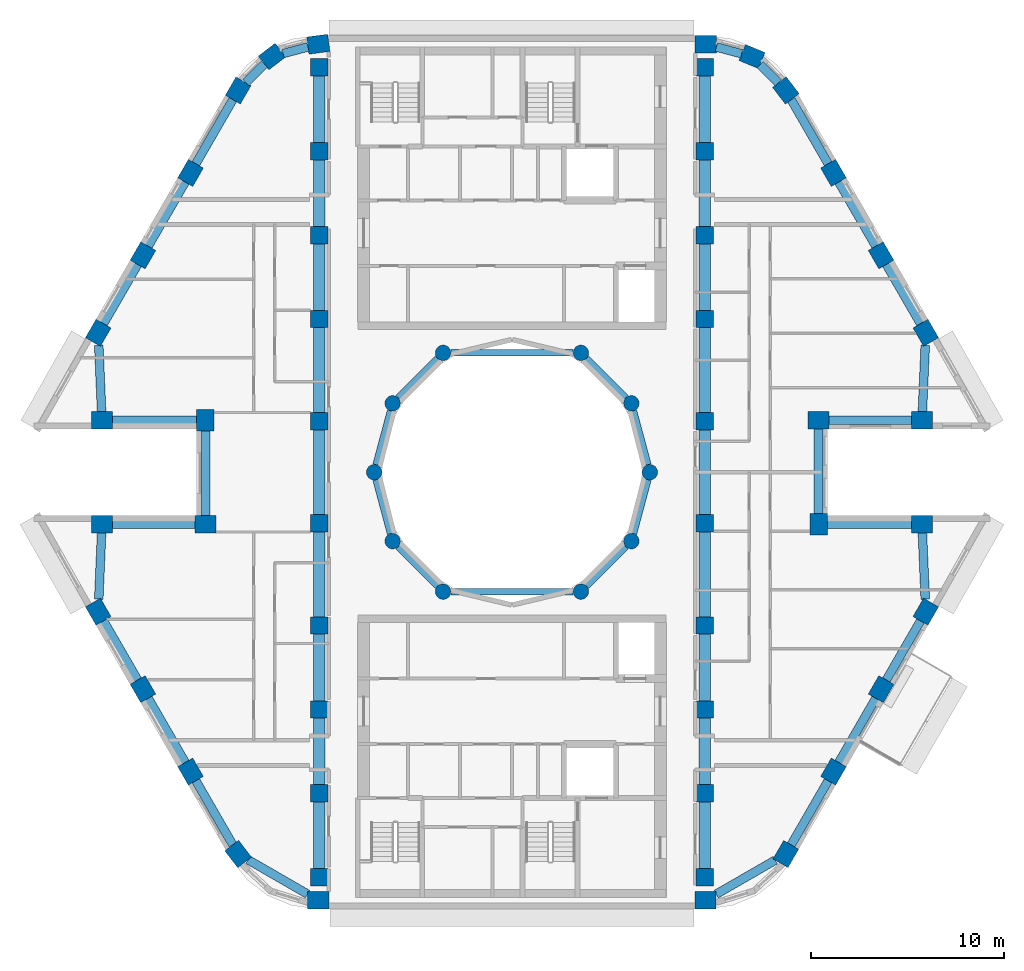
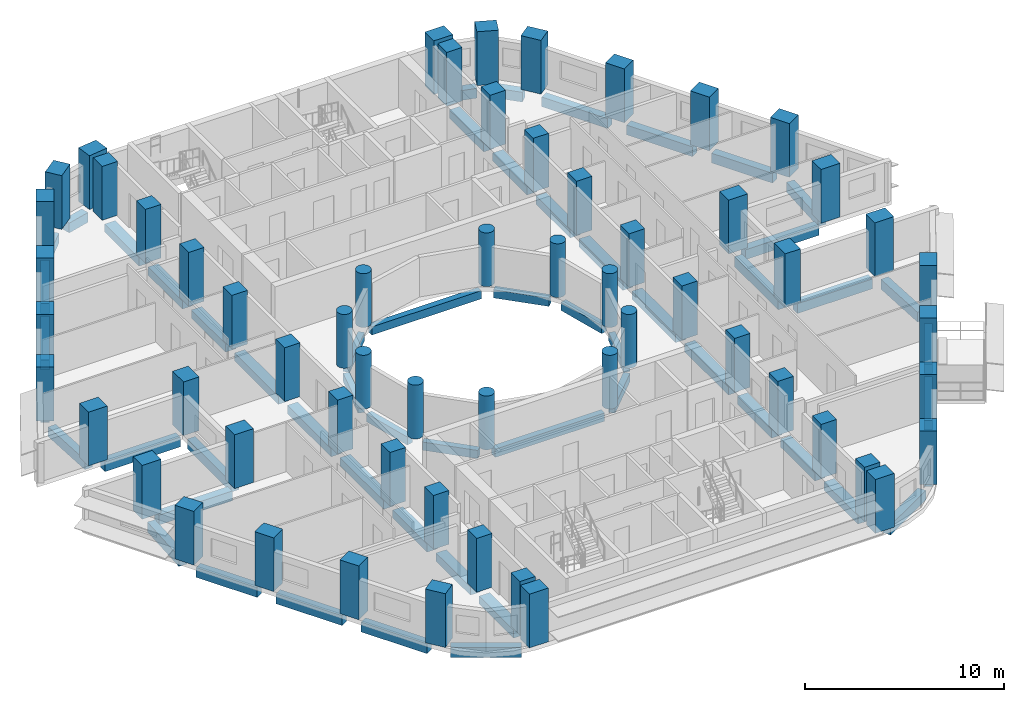
# One storey, part 1 of 12: 60 columns, 56 beams.
"""IFC4 building model written with IfcOpenShell, lengths in metres."""

from ifc_helpers import new_model, si_unit, direction, frame, origin, origin_2d, place, context, subcontext, project, spatial, rectangle, circle, extrude, material, material_profile, profile_set, type_object, element, save


model = new_model("IFC4")

# Units and contexts
model_context = context("Model", 3, precision=1e-05, world=origin(), true_north=direction((0.0, 1.0)))
body_context = subcontext(model_context, "Body", "Model", "MODEL_VIEW")
ifc_project = project(units=[si_unit("LENGTHUNIT", "METRE"), si_unit("AREAUNIT", "SQUARE_METRE"), si_unit("VOLUMEUNIT", "CUBIC_METRE"), si_unit("PLANEANGLEUNIT", "RADIAN"), si_unit("MASSUNIT", "GRAM", prefix="KILO")], contexts=[model_context])

# Site, building, storey
site_placement = place(None, origin())
site = spatial("IfcSite", under=ifc_project, at=site_placement, CompositionType="ELEMENT")
building_placement = place(site_placement, origin())
building = spatial("IfcBuilding", under=site, at=building_placement, Name="Nakaniwa Court", CompositionType="ELEMENT")
storey_placement = place(building_placement, frame((0.0, 0.0, 232.800048828125)))
storey = spatial("IfcBuildingStorey", under=building, at=storey_placement, Name="L60", CompositionType="ELEMENT", Elevation=232.800048828125)

# Columns
ifc_material = material(Name="Concrete C80/100", Category="concrete")
ifc_material_profile_1 = material_profile(ifc_material, rectangle(XDim=1.10009765625, YDim=0.89990234375, at=origin_2d()), Name="Concrete C80/100 RC 1100x900 perimeter column")
ifc_profile_set_1 = profile_set([ifc_material_profile_1], Name="Concrete C80/100")
column_type_1 = type_object("IfcColumnType", Name="Concrete C80/100 RC 1100x900 perimeter column", PredefinedType="COLUMN", material=ifc_profile_set_1)
for number, where, z_axis, x_axis, name in (
    (1, (69.95458984375, 102.199951171875, 0.0), (0.0, 0.0, 1.0), (-0.991442583111, -0.130543496177, 0.0), "COLUMN CO-01"),
    (2, (67.552001953125, 101.560302734375, 0.0), (0.0, 0.0, 1.0), (-0.793363965062, -0.608747582288, 0.0), "COLUMN CO-02"),
    (3, (65.796875, 99.799560546875, 0.0), (0.0, 0.0, 1.0), (-0.5, -0.866025403784, 0.0), "COLUMN CO-03"),
    (4, (63.328857421875, 95.524658203125, 0.0), (0.0, 0.0, 1.0), (-0.5, -0.866025403784, 0.0), "COLUMN CO-04"),
    (5, (60.860595703125, 91.249755859375, 0.0), (0.0, 0.0, 1.0), (-0.5, -0.866025403784, 0.0), "COLUMN CO-05"),
    (6, (58.541015625, 87.232177734375, 0.0), (0.0, 0.0, 1.0), (-0.5, -0.866025403784, 0.0), "COLUMN CO-06"),
    (7, (58.736083984375, 82.699951171875, 0.0), (0.0, 0.0, 1.0), (1.0, 0.0, 0.0), "COLUMN CO-08"),
    (8, (64.1005859375, 82.699951171875, 0.0), (0.0, 0.0, 1.0), (0.0, -1.0, 0.0), "COLUMN CO-09"),
    (9, (64.1005859375, 77.300048828125, 0.0), (0.0, 0.0, 1.0), (-1.0, 0.0, 0.0), "COLUMN CO-10"),
    (10, (58.736083984375, 77.300048828125, 0.0), (0.0, 0.0, 1.0), (-1.0, 0.0, 0.0), "COLUMN CO-11"),
    (11, (58.541015625, 72.767822265625, 0.0), (0.0, 0.0, 1.0), (0.5, -0.866025403784, 0.0), "COLUMN CO-13"),
    (12, (60.860595703125, 68.750244140625, 0.0), (0.0, 0.0, 1.0), (0.5, -0.866025403784, 0.0), "COLUMN CO-14"),
    (13, (63.328857421875, 64.475341796875, 0.0), (0.0, 0.0, 1.0), (0.5, -0.866025403784, 0.0), "COLUMN CO-15"),
    (14, (65.796875, 60.200439453125, 0.0), (0.0, 0.0, 1.0), (0.608761429009, -0.793353340291, 0.0), "COLUMN CO-16"),
    (15, (69.95458984375, 57.800048828125, 0.0), (0.0, 0.0, 1.0), (1.0, 0.0, 0.0), "COLUMN CO-17"),
    (16, (90.03955078125, 57.800048828125, 0.0), (0.0, 0.0, 1.0), (1.0, 0.0, 0.0), "COLUMN CO-21"),
    (17, (94.203125, 60.200439453125, 0.0), (0.0, 0.0, 1.0), (0.5, 0.866025403784, 0.0), "COLUMN CO-22"),
    (18, (96.671142578125, 64.475341796875, 0.0), (0.0, 0.0, 1.0), (0.5, 0.866025403784, 0.0), "COLUMN CO-23"),
    (19, (99.139404296875, 68.750244140625, 0.0), (0.0, 0.0, 1.0), (0.5, 0.866025403784, 0.0), "COLUMN CO-24"),
    (20, (101.458984375, 72.767822265625, 0.0), (0.0, 0.0, 1.0), (0.5, 0.866025403784, 0.0), "COLUMN CO-25"),
    (21, (101.263916015625, 77.300048828125, 0.0), (0.0, 0.0, 1.0), (-1.0, 0.0, 0.0), "COLUMN CO-27"),
    (22, (95.8994140625, 77.300048828125, 0.0), (0.0, 0.0, 1.0), (0.0, 1.0, 0.0), "COLUMN CO-28"),
    (23, (95.8994140625, 82.699951171875, 0.0), (0.0, 0.0, 1.0), (1.0, 0.0, 0.0), "COLUMN CO-29"),
    (24, (101.263916015625, 82.699951171875, 0.0), (0.0, 0.0, 1.0), (1.0, 0.0, 0.0), "COLUMN CO-30"),
    (25, (101.458984375, 87.232177734375, 0.0), (0.0, 0.0, 1.0), (-0.5, 0.866025403784, 0.0), "COLUMN CO-32"),
    (26, (99.139404296875, 91.249755859375, 0.0), (0.0, 0.0, 1.0), (-0.5, 0.866025403784, 0.0), "COLUMN CO-33"),
    (27, (96.671142578125, 95.524658203125, 0.0), (0.0, 0.0, 1.0), (-0.5, 0.866025403784, 0.0), "COLUMN CO-34"),
    (28, (94.203125, 99.799560546875, 0.0), (0.0, 0.0, 1.0), (-0.608761429009, 0.793353340291, 0.0), "COLUMN CO-35"),
    (29, (92.447998046875, 101.560302734375, 0.0), (0.0, 0.0, 1.0), (-0.923879532511, 0.382683432365, 0.0), "COLUMN CO-36"),
    (30, (90.04541015625, 102.199951171875, 0.0), (0.0, 0.0, 1.0), (-1.0, 0.0, 0.0), "COLUMN CO-37"),
):
    element("IfcColumn", number, at=place(storey_placement, frame(where, z_axis=z_axis, x_axis=x_axis)), inside=storey, type_object=column_type_1, Name=name, PredefinedType="COLUMN", context=body_context, shape_type="SweptSolid", body=[
        extrude(rectangle(XDim=1.10009765625, YDim=0.89990234375, at=origin_2d()), origin(), (0.0, 0.0, 1.0), 3.300048828125),
    ])
ifc_material_profile_2 = material_profile(ifc_material, rectangle(XDim=0.89990234375, YDim=0.89990234375, at=origin_2d()), Name="Concrete C80/100 RC 900x900 spine column")
ifc_profile_set_2 = profile_set([ifc_material_profile_2], Name="Concrete C80/100")
column_type_2 = type_object("IfcColumnType", Name="Concrete C80/100 RC 900x900 spine column", PredefinedType="COLUMN", material=ifc_profile_set_2)
for number, where, z_axis, x_axis, name in (
    (31, (90.0, 59.0, 0.0), (0.0, 0.0, 1.0), (0.0, 1.0, 0.0), "COLUMN CS-01"),
    (32, (90.0, 63.35009765625, 0.0), (0.0, 0.0, 1.0), (0.0, 1.0, 0.0), "COLUMN CS-02"),
    (33, (90.0, 67.699951171875, 0.0), (0.0, 0.0, 1.0), (0.0, 1.0, 0.0), "COLUMN CS-03"),
    (34, (90.0, 72.050048828125, 0.0), (0.0, 0.0, 1.0), (0.0, 1.0, 0.0), "COLUMN CS-04"),
    (35, (90.0, 77.35009765625, 0.0), (0.0, 0.0, 1.0), (0.0, 1.0, 0.0), "COLUMN CS-05"),
    (36, (90.0, 82.64990234375, 0.0), (0.0, 0.0, 1.0), (0.0, 1.0, 0.0), "COLUMN CS-06"),
    (37, (90.0, 87.949951171875, 0.0), (0.0, 0.0, 1.0), (0.0, 1.0, 0.0), "COLUMN CS-07"),
    (38, (90.0, 92.300048828125, 0.0), (0.0, 0.0, 1.0), (0.0, 1.0, 0.0), "COLUMN CS-08"),
    (39, (90.0, 96.64990234375, 0.0), (0.0, 0.0, 1.0), (0.0, 1.0, 0.0), "COLUMN CS-09"),
    (40, (90.0, 101.0, 0.0), (0.0, 0.0, 1.0), (0.0, 1.0, 0.0), "COLUMN CS-10"),
    (41, (70.0, 101.0, 0.0), (0.0, 0.0, 1.0), (0.0, -1.0, 0.0), "COLUMN CS-11"),
    (42, (70.0, 96.64990234375, 0.0), (0.0, 0.0, 1.0), (0.0, -1.0, 0.0), "COLUMN CS-12"),
    (43, (70.0, 92.300048828125, 0.0), (0.0, 0.0, 1.0), (0.0, -1.0, 0.0), "COLUMN CS-13"),
    (44, (70.0, 87.949951171875, 0.0), (0.0, 0.0, 1.0), (0.0, -1.0, 0.0), "COLUMN CS-14"),
    (45, (70.0, 82.64990234375, 0.0), (0.0, 0.0, 1.0), (0.0, -1.0, 0.0), "COLUMN CS-15"),
    (46, (70.0, 77.35009765625, 0.0), (0.0, 0.0, 1.0), (0.0, -1.0, 0.0), "COLUMN CS-16"),
    (47, (70.0, 72.050048828125, 0.0), (0.0, 0.0, 1.0), (0.0, -1.0, 0.0), "COLUMN CS-17"),
    (48, (70.0, 67.699951171875, 0.0), (0.0, 0.0, 1.0), (0.0, -1.0, 0.0), "COLUMN CS-18"),
    (49, (70.0, 63.35009765625, 0.0), (0.0, 0.0, 1.0), (0.0, -1.0, 0.0), "COLUMN CS-19"),
    (50, (70.0, 59.0, 0.0), (0.0, 0.0, 1.0), (0.0, -1.0, 0.0), "COLUMN CS-20"),
):
    element("IfcColumn", number, at=place(storey_placement, frame(where, z_axis=z_axis, x_axis=x_axis)), inside=storey, type_object=column_type_2, Name=name, PredefinedType="COLUMN", context=body_context, shape_type="SweptSolid", body=[
        extrude(rectangle(XDim=0.89990234375, YDim=0.89990234375, at=origin_2d()), origin(), (0.0, 0.0, 1.0), 3.300048828125),
    ])
ifc_material_profile_3 = material_profile(ifc_material, circle(Radius=0.39990234375, at=origin_2d()), Name="Concrete C80/100 RC D800 inner ring column")
ifc_profile_set_3 = profile_set([ifc_material_profile_3], Name="Concrete C80/100")
column_type_3 = type_object("IfcColumnType", Name="Concrete C80/100 RC D800 inner ring column", PredefinedType="COLUMN", material=ifc_profile_set_3)
for number, where, z_axis, x_axis, name in (
    (51, (87.14990234375, 80.0, 0.0), (0.0, 0.0, 1.0), (0.0, 1.0, 0.0), "COLUMN CI-01"),
    (52, (86.192138671875, 83.574951171875, 0.0), (0.0, 0.0, 1.0), (-0.5, 0.866025403784, 0.0), "COLUMN CI-02"),
    (53, (83.574951171875, 86.192138671875, 0.0), (0.0, 0.0, 1.0), (-0.866025403784, 0.5, 0.0), "COLUMN CI-03"),
    (54, (76.425048828125, 86.192138671875, 0.0), (0.0, 0.0, 1.0), (-0.866025403784, -0.5, 0.0), "COLUMN CI-05"),
    (55, (73.807861328125, 83.574951171875, 0.0), (0.0, 0.0, 1.0), (-0.5, -0.866025403784, 0.0), "COLUMN CI-06"),
    (56, (72.85009765625, 80.0, 0.0), (0.0, 0.0, 1.0), (0.0, -1.0, 0.0), "COLUMN CI-07"),
    (57, (73.807861328125, 76.425048828125, 0.0), (0.0, 0.0, 1.0), (0.5, -0.866025403784, 0.0), "COLUMN CI-08"),
    (58, (76.425048828125, 73.807861328125, 0.0), (0.0, 0.0, 1.0), (0.866025403784, -0.5, 0.0), "COLUMN CI-09"),
    (59, (83.574951171875, 73.807861328125, 0.0), (0.0, 0.0, 1.0), (0.866025403784, 0.5, 0.0), "COLUMN CI-11"),
    (60, (86.192138671875, 76.425048828125, 0.0), (0.0, 0.0, 1.0), (0.5, 0.866025403784, 0.0), "COLUMN CI-12"),
):
    element("IfcColumn", number, at=place(storey_placement, frame(where, z_axis=z_axis, x_axis=x_axis)), inside=storey, type_object=column_type_3, Name=name, PredefinedType="COLUMN", context=body_context, shape_type="SweptSolid", body=[
        extrude(circle(Radius=0.39990234375, at=origin_2d()), origin(), (0.0, 0.0, 1.0), 3.300048828125),
    ])

# Beams
ifc_material_profile_4 = material_profile(ifc_material, rectangle(XDim=0.35009765625, YDim=0.5, at=origin_2d()), Name="Concrete C80/100 RC 350x500 ring beam")
ifc_profile_set_4 = profile_set([ifc_material_profile_4], Name="Concrete C80/100")
beam_type_1 = type_object("IfcBeamType", Name="Concrete C80/100 RC 350x500 ring beam", PredefinedType="BEAM", material=ifc_profile_set_4)
beam_1_placement = place(storey_placement, frame((87.04638671875, 80.386474609375, -0.525146484375), z_axis=(-0.258778150207, 0.965936783115, 0.0), x_axis=(-0.965936783115, -0.258778150207, 0.0)))
element("IfcBeam", 61, at=beam_1_placement, inside=storey, type_object=beam_type_1, Name="RING BEAM", PredefinedType="BEAM", context=body_context, shape_type="SweptSolid", body=[
    extrude(rectangle(XDim=0.35009765625, YDim=0.5, at=origin_2d()), origin(), (0.0, 0.0, 1.0), 2.901123046875),
])
beam_2_placement = place(storey_placement, frame((85.9091796875, 83.85791015625, -0.525146484375), z_axis=(-0.707106781187, 0.707106781187, 0.0), x_axis=(-0.707106781187, -0.707106781187, 0.0)))
element("IfcBeam", 62, at=beam_2_placement, inside=storey, type_object=beam_type_1, Name="RING BEAM", PredefinedType="BEAM", context=body_context, shape_type="SweptSolid", body=[
    extrude(rectangle(XDim=0.35009765625, YDim=0.5, at=origin_2d()), origin(), (0.0, 0.0, 1.0), 2.90087890625),
])
beam_3_placement = place(storey_placement, frame((83.175048828125, 86.192138671875, -0.525146484375), z_axis=(-1.0, 0.0, 0.0), x_axis=(0.0, -1.0, 0.0)))
element("IfcBeam", 63, at=beam_3_placement, inside=storey, type_object=beam_type_1, Name="RING BEAM", PredefinedType="BEAM", context=body_context, shape_type="SweptSolid", body=[
    extrude(rectangle(XDim=0.35009765625, YDim=0.5, at=origin_2d()), origin(), (0.0, 0.0, 1.0), 6.35009765625),
])
beam_4_placement = place(storey_placement, frame((76.14208984375, 85.9091796875, -0.525146484375), z_axis=(-0.707106781187, -0.707106781187, 0.0), x_axis=(0.707106781187, -0.707106781187, 0.0)))
element("IfcBeam", 64, at=beam_4_placement, inside=storey, type_object=beam_type_1, Name="RING BEAM", PredefinedType="BEAM", context=body_context, shape_type="SweptSolid", body=[
    extrude(rectangle(XDim=0.35009765625, YDim=0.5, at=origin_2d()), origin(), (0.0, 0.0, 1.0), 2.90087890625),
])
for number, where, z_axis, x_axis, name in (
    (65, (73.704345703125, 83.188720703125, -0.525146484375), (-0.258778150207, -0.965936783115, 0.0), (0.965936783115, -0.258778150207, 0.0), "RING BEAM"),
    (66, (72.95361328125, 79.613525390625, -0.525146484375), (0.258778150207, -0.965936783115, 0.0), (0.965936783115, 0.258778150207, 0.0), "RING BEAM"),
):
    element("IfcBeam", number, at=place(storey_placement, frame(where, z_axis=z_axis, x_axis=x_axis)), inside=storey, type_object=beam_type_1, Name=name, PredefinedType="BEAM", context=body_context, shape_type="SweptSolid", body=[
        extrude(rectangle(XDim=0.35009765625, YDim=0.5, at=origin_2d()), origin(), (0.0, 0.0, 1.0), 2.901123046875),
    ])
beam_5_placement = place(storey_placement, frame((74.0908203125, 76.14208984375, -0.525146484375), z_axis=(0.707106781187, -0.707106781187, 0.0), x_axis=(0.707106781187, 0.707106781187, 0.0)))
element("IfcBeam", 67, at=beam_5_placement, inside=storey, type_object=beam_type_1, Name="RING BEAM", PredefinedType="BEAM", context=body_context, shape_type="SweptSolid", body=[
    extrude(rectangle(XDim=0.35009765625, YDim=0.5, at=origin_2d()), origin(), (0.0, 0.0, 1.0), 2.90087890625),
])
beam_6_placement = place(storey_placement, frame((76.824951171875, 73.807861328125, -0.525146484375), z_axis=(1.0, 0.0, 0.0), x_axis=(0.0, 1.0, 0.0)))
element("IfcBeam", 68, at=beam_6_placement, inside=storey, type_object=beam_type_1, Name="RING BEAM", PredefinedType="BEAM", context=body_context, shape_type="SweptSolid", body=[
    extrude(rectangle(XDim=0.35009765625, YDim=0.5, at=origin_2d()), origin(), (0.0, 0.0, 1.0), 6.35009765625),
])
beam_7_placement = place(storey_placement, frame((83.85791015625, 74.0908203125, -0.525146484375), z_axis=(0.707106781187, 0.707106781187, 0.0), x_axis=(-0.707106781187, 0.707106781187, 0.0)))
element("IfcBeam", 69, at=beam_7_placement, inside=storey, type_object=beam_type_1, Name="RING BEAM", PredefinedType="BEAM", context=body_context, shape_type="SweptSolid", body=[
    extrude(rectangle(XDim=0.35009765625, YDim=0.5, at=origin_2d()), origin(), (0.0, 0.0, 1.0), 2.90087890625),
])
beam_8_placement = place(storey_placement, frame((86.295654296875, 76.811279296875, -0.525146484375), z_axis=(0.258778150207, 0.965936783115, 0.0), x_axis=(-0.965936783115, 0.258778150207, 0.0)))
element("IfcBeam", 70, at=beam_8_placement, inside=storey, type_object=beam_type_1, Name="RING BEAM", PredefinedType="BEAM", context=body_context, shape_type="SweptSolid", body=[
    extrude(rectangle(XDim=0.35009765625, YDim=0.5, at=origin_2d()), origin(), (0.0, 0.0, 1.0), 2.901123046875),
])
ifc_material_profile_5 = material_profile(ifc_material, rectangle(XDim=0.449951171875, YDim=0.60009765625, at=origin_2d()), Name="Concrete C80/100 RC 450x600 spandrel beam")
ifc_profile_set_5 = profile_set([ifc_material_profile_5], Name="Concrete C80/100")
beam_type_2 = type_object("IfcBeamType", Name="Concrete C80/100 RC 450x600 spandrel beam", PredefinedType="BEAM", material=ifc_profile_set_5)
beam_9_placement = place(storey_placement, frame((69.418701171875, 102.057373046875, -0.574951171875), z_axis=(-0.966286479475, -0.257469298332, 0.0), x_axis=(0.257469298332, -0.966286479475, 0.0)))
element("IfcBeam", 71, at=beam_9_placement, inside=storey, type_object=beam_type_2, Name="SPANDREL BEAM", PredefinedType="BEAM", context=body_context, shape_type="SweptSolid", body=[
    extrude(rectangle(XDim=0.449951171875, YDim=0.60009765625, at=origin_2d()), origin(), (0.0, 0.0, 1.0), 1.3359375),
])
beam_10_placement = place(storey_placement, frame((67.160400390625, 101.167236328125, -0.574951171875), z_axis=(-0.706030517025, -0.708181409689, 0.0), x_axis=(0.708181409689, -0.706030517025, 0.0)))
element("IfcBeam", 72, at=beam_10_placement, inside=storey, type_object=beam_type_2, Name="SPANDREL BEAM", PredefinedType="BEAM", context=body_context, shape_type="SweptSolid", body=[
    extrude(rectangle(XDim=0.449951171875, YDim=0.60009765625, at=origin_2d()), origin(), (0.0, 0.0, 1.0), 1.362060546875),
])
for number, where, z_axis, x_axis, name in (
    (73, (65.52197265625, 99.3232421875, -0.574951171875), (-0.50001992892, -0.866013897511, 0.0), (0.866013897511, -0.50001992892, 0.0), "SPANDREL BEAM"),
    (74, (63.0537109375, 95.04833984375, -0.574951171875), (-0.499972197867, -0.866041454758, 0.0), (0.866041454758, -0.499972197867, 0.0), "SPANDREL BEAM"),
):
    element("IfcBeam", number, at=place(storey_placement, frame(where, z_axis=z_axis, x_axis=x_axis)), inside=storey, type_object=beam_type_2, Name=name, PredefinedType="BEAM", context=body_context, shape_type="SweptSolid", body=[
        extrude(rectangle(XDim=0.449951171875, YDim=0.60009765625, at=origin_2d()), origin(), (0.0, 0.0, 1.0), 3.836181640625),
    ])
beam_11_placement = place(storey_placement, frame((60.585693359375, 90.7734375, -0.574951171875), z_axis=(-0.499997139945, -0.866027055032, 0.0), x_axis=(0.866027055032, -0.499997139945, 0.0)))
element("IfcBeam", 75, at=beam_11_placement, inside=storey, type_object=beam_type_2, Name="SPANDREL BEAM", PredefinedType="BEAM", context=body_context, shape_type="SweptSolid", body=[
    extrude(rectangle(XDim=0.449951171875, YDim=0.60009765625, at=origin_2d()), origin(), (0.0, 0.0, 1.0), 3.5390625),
])
beam_12_placement = place(storey_placement, frame((58.569091796875, 86.580810546875, -0.574951171875), z_axis=(0.042940503042, -0.999077631217, 0.0), x_axis=(0.999077631217, 0.042940503042, 0.0)))
element("IfcBeam", 76, at=beam_12_placement, inside=storey, type_object=beam_type_2, Name="SPANDREL BEAM", PredefinedType="BEAM", context=body_context, shape_type="SweptSolid", body=[
    extrude(rectangle(XDim=0.449951171875, YDim=0.60009765625, at=origin_2d()), origin(), (0.0, 0.0, 1.0), 3.43408203125),
])
beam_13_placement = place(storey_placement, frame((59.285888671875, 82.699951171875, -0.574951171875), z_axis=(1.0, 0.0, 0.0), x_axis=(0.0, 1.0, 0.0)))
element("IfcBeam", 77, at=beam_13_placement, inside=storey, type_object=beam_type_2, Name="SPANDREL BEAM", PredefinedType="BEAM", context=body_context, shape_type="SweptSolid", body=[
    extrude(rectangle(XDim=0.449951171875, YDim=0.60009765625, at=origin_2d()), origin(), (0.0, 0.0, 1.0), 4.364501953125),
])
beam_14_placement = place(storey_placement, frame((64.1005859375, 82.14990234375, -0.574951171875), z_axis=(0.0, -1.0, 0.0), x_axis=(1.0, 0.0, 0.0)))
element("IfcBeam", 78, at=beam_14_placement, inside=storey, type_object=beam_type_2, Name="SPANDREL BEAM", PredefinedType="BEAM", context=body_context, shape_type="SweptSolid", body=[
    extrude(rectangle(XDim=0.449951171875, YDim=0.60009765625, at=origin_2d()), origin(), (0.0, 0.0, 1.0), 4.39990234375),
])
beam_15_placement = place(storey_placement, frame((63.550537109375, 77.300048828125, -0.574951171875), z_axis=(-1.0, 0.0, 0.0), x_axis=(0.0, -1.0, 0.0)))
element("IfcBeam", 79, at=beam_15_placement, inside=storey, type_object=beam_type_2, Name="SPANDREL BEAM", PredefinedType="BEAM", context=body_context, shape_type="SweptSolid", body=[
    extrude(rectangle(XDim=0.449951171875, YDim=0.60009765625, at=origin_2d()), origin(), (0.0, 0.0, 1.0), 4.2646484375),
])
beam_16_placement = place(storey_placement, frame((58.716552734375, 76.85009765625, -0.574951171875), z_axis=(-0.042940503042, -0.999077631217, 0.0), x_axis=(0.999077631217, -0.042940503042, 0.0)))
element("IfcBeam", 80, at=beam_16_placement, inside=storey, type_object=beam_type_2, Name="SPANDREL BEAM", PredefinedType="BEAM", context=body_context, shape_type="SweptSolid", body=[
    extrude(rectangle(XDim=0.449951171875, YDim=0.60009765625, at=origin_2d()), origin(), (0.0, 0.0, 1.0), 3.43408203125),
])
beam_17_placement = place(storey_placement, frame((58.816162109375, 72.29150390625, -0.574951171875), z_axis=(0.499997139945, -0.866027055032, 0.0), x_axis=(0.866027055032, 0.499997139945, 0.0)))
element("IfcBeam", 81, at=beam_17_placement, inside=storey, type_object=beam_type_2, Name="SPANDREL BEAM", PredefinedType="BEAM", context=body_context, shape_type="SweptSolid", body=[
    extrude(rectangle(XDim=0.449951171875, YDim=0.60009765625, at=origin_2d()), origin(), (0.0, 0.0, 1.0), 3.5390625),
])
beam_18_placement = place(storey_placement, frame((61.1357421875, 68.27392578125, -0.574951171875), z_axis=(0.499972197867, -0.866041454758, 0.0), x_axis=(0.866041454758, 0.499972197867, 0.0)))
element("IfcBeam", 82, at=beam_18_placement, inside=storey, type_object=beam_type_2, Name="SPANDREL BEAM", PredefinedType="BEAM", context=body_context, shape_type="SweptSolid", body=[
    extrude(rectangle(XDim=0.449951171875, YDim=0.60009765625, at=origin_2d()), origin(), (0.0, 0.0, 1.0), 3.836181640625),
])
beam_19_placement = place(storey_placement, frame((63.603759765625, 63.9990234375, -0.574951171875), z_axis=(0.500011110731, -0.866018988906, 0.0), x_axis=(0.866018988906, 0.500011110731, 0.0)))
element("IfcBeam", 83, at=beam_19_placement, inside=storey, type_object=beam_type_2, Name="SPANDREL BEAM", PredefinedType="BEAM", context=body_context, shape_type="SweptSolid", body=[
    extrude(rectangle(XDim=0.449951171875, YDim=0.60009765625, at=origin_2d()), origin(), (0.0, 0.0, 1.0), 3.83154296875),
])
beam_20_placement = place(storey_placement, frame((66.3125, 59.90283203125, -0.574951171875), z_axis=(0.866017069707, -0.500014434768, 0.0), x_axis=(0.500014434768, 0.866017069707, 0.0)))
element("IfcBeam", 84, at=beam_20_placement, inside=storey, type_object=beam_type_2, Name="SPANDREL BEAM", PredefinedType="BEAM", context=body_context, shape_type="SweptSolid", body=[
    extrude(rectangle(XDim=0.449951171875, YDim=0.60009765625, at=origin_2d()), origin(), (0.0, 0.0, 1.0), 3.57080078125),
])
beam_21_placement = place(storey_placement, frame((90.589599609375, 58.1171875, -0.574951171875), z_axis=(0.866307414098, 0.499511225378, 0.0), x_axis=(-0.499511225378, 0.866307414098, 0.0)))
element("IfcBeam", 85, at=beam_21_placement, inside=storey, type_object=beam_type_2, Name="SPANDREL BEAM", PredefinedType="BEAM", context=body_context, shape_type="SweptSolid", body=[
    extrude(rectangle(XDim=0.449951171875, YDim=0.60009765625, at=origin_2d()), origin(), (0.0, 0.0, 1.0), 3.53564453125),
])
for number, where, z_axis, x_axis, name in (
    (86, (94.47802734375, 60.6767578125, -0.574951171875), (0.50001992892, 0.866013897511, 0.0), (-0.866013897511, 0.50001992892, 0.0), "SPANDREL BEAM"),
    (87, (96.9462890625, 64.95166015625, -0.574951171875), (0.499972197867, 0.866041454758, 0.0), (-0.866041454758, 0.499972197867, 0.0), "SPANDREL BEAM"),
):
    element("IfcBeam", number, at=place(storey_placement, frame(where, z_axis=z_axis, x_axis=x_axis)), inside=storey, type_object=beam_type_2, Name=name, PredefinedType="BEAM", context=body_context, shape_type="SweptSolid", body=[
        extrude(rectangle(XDim=0.449951171875, YDim=0.60009765625, at=origin_2d()), origin(), (0.0, 0.0, 1.0), 3.836181640625),
    ])
beam_22_placement = place(storey_placement, frame((99.414306640625, 69.2265625, -0.574951171875), z_axis=(0.499997139945, 0.866027055032, 0.0), x_axis=(-0.866027055032, 0.499997139945, 0.0)))
element("IfcBeam", 88, at=beam_22_placement, inside=storey, type_object=beam_type_2, Name="SPANDREL BEAM", PredefinedType="BEAM", context=body_context, shape_type="SweptSolid", body=[
    extrude(rectangle(XDim=0.449951171875, YDim=0.60009765625, at=origin_2d()), origin(), (0.0, 0.0, 1.0), 3.5390625),
])
beam_23_placement = place(storey_placement, frame((101.430908203125, 73.419189453125, -0.574951171875), z_axis=(-0.042940503042, 0.999077631217, 0.0), x_axis=(-0.999077631217, -0.042940503042, 0.0)))
element("IfcBeam", 89, at=beam_23_placement, inside=storey, type_object=beam_type_2, Name="SPANDREL BEAM", PredefinedType="BEAM", context=body_context, shape_type="SweptSolid", body=[
    extrude(rectangle(XDim=0.449951171875, YDim=0.60009765625, at=origin_2d()), origin(), (0.0, 0.0, 1.0), 3.43408203125),
])
beam_24_placement = place(storey_placement, frame((100.714111328125, 77.300048828125, -0.574951171875), z_axis=(-1.0, 0.0, 0.0), x_axis=(0.0, -1.0, 0.0)))
element("IfcBeam", 90, at=beam_24_placement, inside=storey, type_object=beam_type_2, Name="SPANDREL BEAM", PredefinedType="BEAM", context=body_context, shape_type="SweptSolid", body=[
    extrude(rectangle(XDim=0.449951171875, YDim=0.60009765625, at=origin_2d()), origin(), (0.0, 0.0, 1.0), 4.364501953125),
])
beam_25_placement = place(storey_placement, frame((95.8994140625, 77.85009765625, -0.574951171875), z_axis=(0.0, 1.0, 0.0), x_axis=(-1.0, 0.0, 0.0)))
element("IfcBeam", 91, at=beam_25_placement, inside=storey, type_object=beam_type_2, Name="SPANDREL BEAM", PredefinedType="BEAM", context=body_context, shape_type="SweptSolid", body=[
    extrude(rectangle(XDim=0.449951171875, YDim=0.60009765625, at=origin_2d()), origin(), (0.0, 0.0, 1.0), 4.39990234375),
])
beam_26_placement = place(storey_placement, frame((96.449462890625, 82.699951171875, -0.574951171875), z_axis=(1.0, 0.0, 0.0), x_axis=(0.0, 1.0, 0.0)))
element("IfcBeam", 92, at=beam_26_placement, inside=storey, type_object=beam_type_2, Name="SPANDREL BEAM", PredefinedType="BEAM", context=body_context, shape_type="SweptSolid", body=[
    extrude(rectangle(XDim=0.449951171875, YDim=0.60009765625, at=origin_2d()), origin(), (0.0, 0.0, 1.0), 4.2646484375),
])
beam_27_placement = place(storey_placement, frame((101.283447265625, 83.14990234375, -0.574951171875), z_axis=(0.042940503042, 0.999077631217, 0.0), x_axis=(-0.999077631217, 0.042940503042, 0.0)))
element("IfcBeam", 93, at=beam_27_placement, inside=storey, type_object=beam_type_2, Name="SPANDREL BEAM", PredefinedType="BEAM", context=body_context, shape_type="SweptSolid", body=[
    extrude(rectangle(XDim=0.449951171875, YDim=0.60009765625, at=origin_2d()), origin(), (0.0, 0.0, 1.0), 3.43408203125),
])
beam_28_placement = place(storey_placement, frame((101.183837890625, 87.70849609375, -0.574951171875), z_axis=(-0.499997139945, 0.866027055032, 0.0), x_axis=(-0.866027055032, -0.499997139945, 0.0)))
element("IfcBeam", 94, at=beam_28_placement, inside=storey, type_object=beam_type_2, Name="SPANDREL BEAM", PredefinedType="BEAM", context=body_context, shape_type="SweptSolid", body=[
    extrude(rectangle(XDim=0.449951171875, YDim=0.60009765625, at=origin_2d()), origin(), (0.0, 0.0, 1.0), 3.5390625),
])
beam_29_placement = place(storey_placement, frame((98.8642578125, 91.72607421875, -0.574951171875), z_axis=(-0.499972197867, 0.866041454758, 0.0), x_axis=(-0.866041454758, -0.499972197867, 0.0)))
element("IfcBeam", 95, at=beam_29_placement, inside=storey, type_object=beam_type_2, Name="SPANDREL BEAM", PredefinedType="BEAM", context=body_context, shape_type="SweptSolid", body=[
    extrude(rectangle(XDim=0.449951171875, YDim=0.60009765625, at=origin_2d()), origin(), (0.0, 0.0, 1.0), 3.836181640625),
])
beam_30_placement = place(storey_placement, frame((96.396240234375, 96.0009765625, -0.574951171875), z_axis=(-0.500011110731, 0.866018988906, 0.0), x_axis=(-0.866018988906, -0.500011110731, 0.0)))
element("IfcBeam", 96, at=beam_30_placement, inside=storey, type_object=beam_type_2, Name="SPANDREL BEAM", PredefinedType="BEAM", context=body_context, shape_type="SweptSolid", body=[
    extrude(rectangle(XDim=0.449951171875, YDim=0.60009765625, at=origin_2d()), origin(), (0.0, 0.0, 1.0), 3.83154296875),
])
beam_31_placement = place(storey_placement, frame((93.8115234375, 100.1923828125, -0.574951171875), z_axis=(-0.706100745773, 0.708111387296, 0.0), x_axis=(-0.708111387296, -0.706100745773, 0.0)))
element("IfcBeam", 97, at=beam_31_placement, inside=storey, type_object=beam_type_2, Name="SPANDREL BEAM", PredefinedType="BEAM", context=body_context, shape_type="SweptSolid", body=[
    extrude(rectangle(XDim=0.449951171875, YDim=0.60009765625, at=origin_2d()), origin(), (0.0, 0.0, 1.0), 1.335693359375),
])
beam_32_placement = place(storey_placement, frame((91.91162109375, 101.702880859375, -0.574951171875), z_axis=(-0.966318174979, 0.257350315146, 0.0), x_axis=(-0.257350315146, -0.966318174979, 0.0)))
element("IfcBeam", 98, at=beam_32_placement, inside=storey, type_object=beam_type_2, Name="SPANDREL BEAM", PredefinedType="BEAM", context=body_context, shape_type="SweptSolid", body=[
    extrude(rectangle(XDim=0.449951171875, YDim=0.60009765625, at=origin_2d()), origin(), (0.0, 0.0, 1.0), 1.3623046875),
])
ifc_material_profile_6 = material_profile(ifc_material, rectangle(XDim=0.60009765625, YDim=0.5, at=origin_2d()), Name="Concrete C80/100 RC 600x500 ring beam")
ifc_profile_set_6 = profile_set([ifc_material_profile_6], Name="Concrete C80/100")
beam_type_3 = type_object("IfcBeamType", Name="Concrete C80/100 RC 600x500 ring beam", PredefinedType="BEAM", material=ifc_profile_set_6)
for number, where, z_axis, x_axis, name in (
    (99, (90.0, 59.449951171875, -0.525146484375), (0.0, 1.0, 0.0), (-1.0, 0.0, 0.0), "RING BEAM"),
    (100, (90.0, 63.800048828125, -0.525146484375), (0.0, 1.0, 0.0), (-1.0, 0.0, 0.0), "RING BEAM"),
):
    element("IfcBeam", number, at=place(storey_placement, frame(where, z_axis=z_axis, x_axis=x_axis)), inside=storey, type_object=beam_type_3, Name=name, PredefinedType="BEAM", context=body_context, shape_type="SweptSolid", body=[
        extrude(rectangle(XDim=0.60009765625, YDim=0.5, at=origin_2d()), origin(), (0.0, 0.0, 1.0), 3.449951171875),
    ])
beam_33_placement = place(storey_placement, frame((90.0, 68.14990234375, -0.525146484375), z_axis=(0.0, 1.0, 0.0), x_axis=(-1.0, 0.0, 0.0)))
element("IfcBeam", 101, at=beam_33_placement, inside=storey, type_object=beam_type_3, Name="RING BEAM", PredefinedType="BEAM", context=body_context, shape_type="SweptSolid", body=[
    extrude(rectangle(XDim=0.60009765625, YDim=0.5, at=origin_2d()), origin(), (0.0, 0.0, 1.0), 3.4501953125),
])
for number, where, z_axis, x_axis, name in (
    (102, (90.0, 72.5, -0.525146484375), (0.0, 1.0, 0.0), (-1.0, 0.0, 0.0), "RING BEAM"),
    (103, (90.0, 77.800048828125, -0.525146484375), (0.0, 1.0, 0.0), (-1.0, 0.0, 0.0), "RING BEAM"),
    (104, (90.0, 83.10009765625, -0.525146484375), (0.0, 1.0, 0.0), (-1.0, 0.0, 0.0), "RING BEAM"),
):
    element("IfcBeam", number, at=place(storey_placement, frame(where, z_axis=z_axis, x_axis=x_axis)), inside=storey, type_object=beam_type_3, Name=name, PredefinedType="BEAM", context=body_context, shape_type="SweptSolid", body=[
        extrude(rectangle(XDim=0.60009765625, YDim=0.5, at=origin_2d()), origin(), (0.0, 0.0, 1.0), 4.39990234375),
    ])
beam_34_placement = place(storey_placement, frame((90.0, 88.39990234375, -0.525146484375), z_axis=(0.0, 1.0, 0.0), x_axis=(-1.0, 0.0, 0.0)))
element("IfcBeam", 105, at=beam_34_placement, inside=storey, type_object=beam_type_3, Name="RING BEAM", PredefinedType="BEAM", context=body_context, shape_type="SweptSolid", body=[
    extrude(rectangle(XDim=0.60009765625, YDim=0.5, at=origin_2d()), origin(), (0.0, 0.0, 1.0), 3.4501953125),
])
for number, where, z_axis, x_axis, name in (
    (106, (90.0, 92.75, -0.525146484375), (0.0, 1.0, 0.0), (-1.0, 0.0, 0.0), "RING BEAM"),
    (107, (90.0, 97.10009765625, -0.525146484375), (0.0, 1.0, 0.0), (-1.0, 0.0, 0.0), "RING BEAM"),
    (108, (70.0, 100.550048828125, -0.525146484375), (0.0, -1.0, 0.0), (1.0, 0.0, 0.0), "RING BEAM"),
    (109, (70.0, 96.199951171875, -0.525146484375), (0.0, -1.0, 0.0), (1.0, 0.0, 0.0), "RING BEAM"),
):
    element("IfcBeam", number, at=place(storey_placement, frame(where, z_axis=z_axis, x_axis=x_axis)), inside=storey, type_object=beam_type_3, Name=name, PredefinedType="BEAM", context=body_context, shape_type="SweptSolid", body=[
        extrude(rectangle(XDim=0.60009765625, YDim=0.5, at=origin_2d()), origin(), (0.0, 0.0, 1.0), 3.449951171875),
    ])
beam_35_placement = place(storey_placement, frame((70.0, 91.85009765625, -0.525146484375), z_axis=(0.0, -1.0, 0.0), x_axis=(1.0, 0.0, 0.0)))
element("IfcBeam", 110, at=beam_35_placement, inside=storey, type_object=beam_type_3, Name="RING BEAM", PredefinedType="BEAM", context=body_context, shape_type="SweptSolid", body=[
    extrude(rectangle(XDim=0.60009765625, YDim=0.5, at=origin_2d()), origin(), (0.0, 0.0, 1.0), 3.4501953125),
])
for number, where, z_axis, x_axis, name in (
    (111, (70.0, 87.5, -0.525146484375), (0.0, -1.0, 0.0), (1.0, 0.0, 0.0), "RING BEAM"),
    (112, (70.0, 82.199951171875, -0.525146484375), (0.0, -1.0, 0.0), (1.0, 0.0, 0.0), "RING BEAM"),
    (113, (70.0, 76.89990234375, -0.525146484375), (0.0, -1.0, 0.0), (1.0, 0.0, 0.0), "RING BEAM"),
):
    element("IfcBeam", number, at=place(storey_placement, frame(where, z_axis=z_axis, x_axis=x_axis)), inside=storey, type_object=beam_type_3, Name=name, PredefinedType="BEAM", context=body_context, shape_type="SweptSolid", body=[
        extrude(rectangle(XDim=0.60009765625, YDim=0.5, at=origin_2d()), origin(), (0.0, 0.0, 1.0), 4.39990234375),
    ])
beam_36_placement = place(storey_placement, frame((70.0, 71.60009765625, -0.525146484375), z_axis=(0.0, -1.0, 0.0), x_axis=(1.0, 0.0, 0.0)))
element("IfcBeam", 114, at=beam_36_placement, inside=storey, type_object=beam_type_3, Name="RING BEAM", PredefinedType="BEAM", context=body_context, shape_type="SweptSolid", body=[
    extrude(rectangle(XDim=0.60009765625, YDim=0.5, at=origin_2d()), origin(), (0.0, 0.0, 1.0), 3.4501953125),
])
for number, where, z_axis, x_axis, name in (
    (115, (70.0, 67.25, -0.525146484375), (0.0, -1.0, 0.0), (1.0, 0.0, 0.0), "RING BEAM"),
    (116, (70.0, 62.89990234375, -0.525146484375), (0.0, -1.0, 0.0), (1.0, 0.0, 0.0), "RING BEAM"),
):
    element("IfcBeam", number, at=place(storey_placement, frame(where, z_axis=z_axis, x_axis=x_axis)), inside=storey, type_object=beam_type_3, Name=name, PredefinedType="BEAM", context=body_context, shape_type="SweptSolid", body=[
        extrude(rectangle(XDim=0.60009765625, YDim=0.5, at=origin_2d()), origin(), (0.0, 0.0, 1.0), 3.449951171875),
    ])

save(model, "model.ifc")
